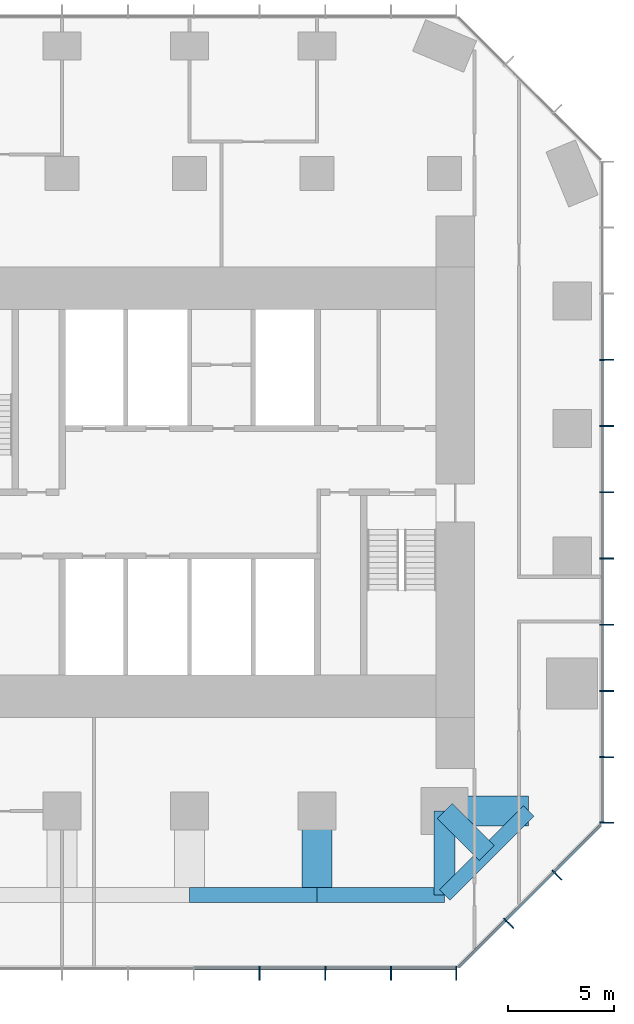
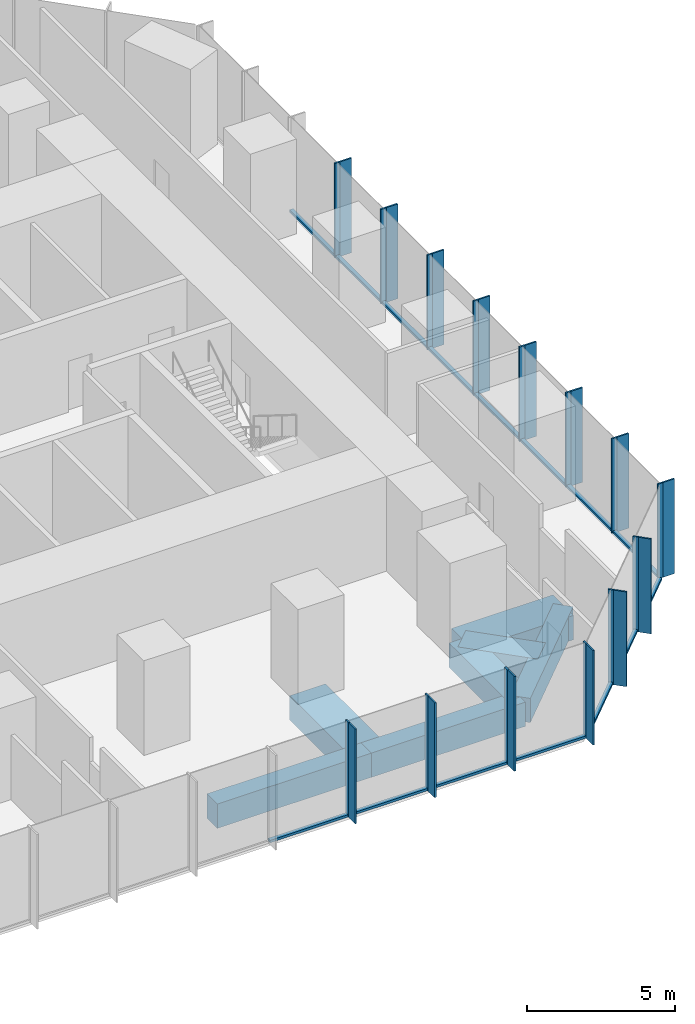
# One storey, part 4 of 11: 43 members, 7 beams, 3 elements without a shape of their own.
"""IFC4 building model written with IfcOpenShell, lengths in metres."""

from ifc_helpers import new_model, si_unit, direction, frame, origin, origin_2d, place, context, subcontext, project, spatial, rectangle, extrude, material, layer, layer_set, material_profile, profile_set, type_object, element, aggregate, save


model = new_model("IFC4")

# Units and contexts
model_context = context("Model", 3, precision=1e-05, world=origin(), true_north=direction((0.0, 1.0)))
body_context = subcontext(model_context, "Body", "Model", "MODEL_VIEW")
ifc_project = project(units=[si_unit("LENGTHUNIT", "METRE"), si_unit("AREAUNIT", "SQUARE_METRE"), si_unit("VOLUMEUNIT", "CUBIC_METRE"), si_unit("PLANEANGLEUNIT", "RADIAN"), si_unit("MASSUNIT", "GRAM", prefix="KILO")], contexts=[model_context])

# Site, building, storey
site_placement = place(None, origin())
site = spatial("IfcSite", under=ifc_project, at=site_placement, CompositionType="ELEMENT")
building_placement = place(site_placement, origin())
building = spatial("IfcBuilding", under=site, at=building_placement, Name="Highveld Stack Headquarters", CompositionType="ELEMENT")
storey_placement = place(building_placement, frame((0.0, 0.0, 132.800048828125)))
storey = spatial("IfcBuildingStorey", under=building, at=storey_placement, Name="L32", CompositionType="ELEMENT", Elevation=132.800048828125)

# Beams
ifc_material_1 = material(Name="Concrete C60/75", Category="concrete")
ifc_material_profile_1 = material_profile(ifc_material_1, rectangle(XDim=1.0, YDim=1.0, at=origin_2d()), Name="RC 1000x1000")
ifc_profile_set_1 = profile_set([ifc_material_profile_1], Name="Concrete C60/75")
beam_type_1 = type_object("IfcBeamType", Name="CANTILEVER RIB RC 1000x1000", PredefinedType="USERDEFINED", material=ifc_profile_set_1)
beam_1_placement = place(storey_placement, frame((18.0, -12.0, -0.75), z_axis=(0.0, -1.0, 0.0), x_axis=(1.0, 0.0, 0.0)))
element("IfcBeam", 1, at=beam_1_placement, inside=storey, type_object=beam_type_1, Name="Cantilever rib 9/C L32", ObjectType="CANTILEVER RIB", PredefinedType="USERDEFINED", context=body_context, shape_type="SweptSolid", body=[
    extrude(rectangle(XDim=1.0, YDim=1.0, at=origin_2d()), origin(), (0.0, 0.0, 1.0), 3.949951171875),
])
beam_2_placement = place(storey_placement, frame((18.0, -12.0, -0.75), z_axis=(0.707106781187, -0.707106781187, 0.0), x_axis=(0.707106781187, 0.707106781187, 0.0)))
element("IfcBeam", 2, at=beam_2_placement, inside=storey, type_object=beam_type_1, Name="Cantilever rib 9/C L32", ObjectType="CANTILEVER RIB", PredefinedType="USERDEFINED", context=body_context, shape_type="SweptSolid", body=[
    extrude(rectangle(XDim=1.0, YDim=1.0, at=origin_2d()), origin(), (0.0, 0.0, 1.0), 2.793212890625),
])
ifc_material_2 = material(Name="Concrete C60/75", Category="concrete")
ifc_material_profile_2 = material_profile(ifc_material_2, rectangle(XDim=1.39990234375, YDim=1.0, at=origin_2d()), Name="RC 1400x1000")
ifc_profile_set_2 = profile_set([ifc_material_profile_2], Name="Concrete C60/75")
beam_type_2 = type_object("IfcBeamType", Name="CANTILEVER RIB RC 1400x1000", PredefinedType="USERDEFINED", material=ifc_profile_set_2)
for number, where, z_axis, x_axis, name in (
    (3, (12.0, -12.0, -0.75), (0.0, -1.0, 0.0), (1.0, 0.0, 0.0), "Cantilever rib 8/C L32"),
    (4, (18.0, -12.0, -0.75), (1.0, 0.0, 0.0), (0.0, 1.0, 0.0), "Cantilever rib 9/C L32"),
):
    element("IfcBeam", number, at=place(storey_placement, frame(where, z_axis=z_axis, x_axis=x_axis)), inside=storey, type_object=beam_type_2, Name=name, ObjectType="CANTILEVER RIB", PredefinedType="USERDEFINED", context=body_context, shape_type="SweptSolid", body=[
        extrude(rectangle(XDim=1.39990234375, YDim=1.0, at=origin_2d()), origin(), (0.0, 0.0, 1.0), 3.949951171875),
    ])

# Curtain wall, members
ifc_material_3 = material(Name="Aluminium bronze anodised", Category="aluminium")
ifc_layer_1 = layer(ifc_material_3, 0.199951171875)
ifc_layer_set_1 = layer_set([ifc_layer_1], Name="Aluminium bronze anodised")
curtain_wall_type_1 = type_object("IfcCurtainWallType", Name="CW1 TOWER UNITISED CURTAIN WALL", PredefinedType="NOTDEFINED", material=ifc_layer_set_1)
curtain_wall_1_placement = place(storey_placement, origin())
curtain_wall_1 = element("IfcCurtainWall", 5, at=curtain_wall_1_placement, inside=storey, type_object=curtain_wall_type_1, Name="Curtain wall CW1 L32 S", PredefinedType="NOTDEFINED")
ifc_material_4 = material(Name="Aluminium bronze anodised", Category="aluminium")
ifc_material_profile_3 = material_profile(ifc_material_4, rectangle(XDim=0.449951171875, YDim=0.06005859375, at=origin_2d()), Name="FIN 450x60")
ifc_profile_set_3 = profile_set([ifc_material_profile_3], Name="Aluminium bronze anodised")
member_type_1 = type_object("IfcMemberType", Name="CW1 BRONZE FIN 450x60", PredefinedType="USERDEFINED", material=ifc_profile_set_3)
member_1_placement = place(storey_placement, frame((9.2900390625, -19.72509765625, 0.0), z_axis=(0.0, 0.0, 1.0), x_axis=(0.0, 1.0, 0.0)))
member_1 = element("IfcMember", 6, at=member_1_placement, type_object=member_type_1, Name="CW1 fin L32 10", ObjectType="FIN", PredefinedType="USERDEFINED", context=body_context, shape_type="SweptSolid", body=[
    extrude(rectangle(XDim=0.449951171875, YDim=0.06005859375, at=origin_2d()), origin(), (0.0, 0.0, 1.0), 3.89990234375),
])
member_2_placement = place(storey_placement, frame((12.38671875, -19.72509765625, 0.0), z_axis=(0.0, 0.0, 1.0), x_axis=(0.0, 1.0, 0.0)))
member_2 = element("IfcMember", 7, at=member_2_placement, type_object=member_type_1, Name="CW1 fin L32 11", ObjectType="FIN", PredefinedType="USERDEFINED", context=body_context, shape_type="SweptSolid", body=[
    extrude(rectangle(XDim=0.449951171875, YDim=0.06005859375, at=origin_2d()), origin(), (0.0, 0.0, 1.0), 3.89990234375),
])
member_3_placement = place(storey_placement, frame((15.4833984375, -19.72509765625, 0.0), z_axis=(0.0, 0.0, 1.0), x_axis=(0.0, 1.0, 0.0)))
member_3 = element("IfcMember", 8, at=member_3_placement, type_object=member_type_1, Name="CW1 fin L32 12", ObjectType="FIN", PredefinedType="USERDEFINED", context=body_context, shape_type="SweptSolid", body=[
    extrude(rectangle(XDim=0.449951171875, YDim=0.06005859375, at=origin_2d()), origin(), (0.0, 0.0, 1.0), 3.89990234375),
])
member_4_placement = place(storey_placement, frame((18.54736328125, -19.72509765625, 0.0), z_axis=(0.0, 0.0, 1.0), x_axis=(0.0, 1.0, 0.0)))
member_4 = element("IfcMember", 9, at=member_4_placement, type_object=member_type_1, Name="CW1 fin L32 13", ObjectType="FIN", PredefinedType="USERDEFINED", context=body_context, shape_type="SweptSolid", body=[
    extrude(rectangle(XDim=0.449951171875, YDim=0.06005859375, at=origin_2d()), origin(), (0.0, 0.0, 1.0), 3.89990234375),
])

curtain_wall_2_placement = place(storey_placement, origin())
curtain_wall_2 = element("IfcCurtainWall", 10, at=curtain_wall_2_placement, inside=storey, type_object=curtain_wall_type_1, Name="Curtain wall CW1 L32 E", PredefinedType="NOTDEFINED")
member_5_placement = place(storey_placement, frame((25.72509765625, -12.54736328125, 0.0), z_axis=(0.0, 0.0, 1.0), x_axis=(-1.0, 0.0, 0.0)))
member_5 = element("IfcMember", 11, at=member_5_placement, type_object=member_type_1, Name="CW1 fin L32 1", ObjectType="FIN", PredefinedType="USERDEFINED", context=body_context, shape_type="SweptSolid", body=[
    extrude(rectangle(XDim=0.449951171875, YDim=0.06005859375, at=origin_2d()), origin(), (0.0, 0.0, 1.0), 3.89990234375),
])
member_6_placement = place(storey_placement, frame((25.72509765625, -9.4638671875, 0.0), z_axis=(0.0, 0.0, 1.0), x_axis=(-1.0, 0.0, 0.0)))
member_6 = element("IfcMember", 12, at=member_6_placement, type_object=member_type_1, Name="CW1 fin L32 2", ObjectType="FIN", PredefinedType="USERDEFINED", context=body_context, shape_type="SweptSolid", body=[
    extrude(rectangle(XDim=0.449951171875, YDim=0.06005859375, at=origin_2d()), origin(), (0.0, 0.0, 1.0), 3.89990234375),
])
member_7_placement = place(storey_placement, frame((25.72509765625, -6.347900390625, 0.0), z_axis=(0.0, 0.0, 1.0), x_axis=(-1.0, 0.0, 0.0)))
member_7 = element("IfcMember", 13, at=member_7_placement, type_object=member_type_1, Name="CW1 fin L32 3", ObjectType="FIN", PredefinedType="USERDEFINED", context=body_context, shape_type="SweptSolid", body=[
    extrude(rectangle(XDim=0.449951171875, YDim=0.06005859375, at=origin_2d()), origin(), (0.0, 0.0, 1.0), 3.89990234375),
])
member_8_placement = place(storey_placement, frame((25.72509765625, -3.23193359375, 0.0), z_axis=(0.0, 0.0, 1.0), x_axis=(-1.0, 0.0, 0.0)))
member_8 = element("IfcMember", 14, at=member_8_placement, type_object=member_type_1, Name="CW1 fin L32 4", ObjectType="FIN", PredefinedType="USERDEFINED", context=body_context, shape_type="SweptSolid", body=[
    extrude(rectangle(XDim=0.449951171875, YDim=0.06005859375, at=origin_2d()), origin(), (0.0, 0.0, 1.0), 3.89990234375),
])
member_9_placement = place(storey_placement, frame((25.72509765625, -0.115966796875, 0.0), z_axis=(0.0, 0.0, 1.0), x_axis=(-1.0, 0.0, 0.0)))
member_9 = element("IfcMember", 15, at=member_9_placement, type_object=member_type_1, Name="CW1 fin L32 5", ObjectType="FIN", PredefinedType="USERDEFINED", context=body_context, shape_type="SweptSolid", body=[
    extrude(rectangle(XDim=0.449951171875, YDim=0.06005859375, at=origin_2d()), origin(), (0.0, 0.0, 1.0), 3.89990234375),
])
member_10_placement = place(storey_placement, frame((25.72509765625, 3.0, 0.0), z_axis=(0.0, 0.0, 1.0), x_axis=(-1.0, 0.0, 0.0)))
member_10 = element("IfcMember", 16, at=member_10_placement, type_object=member_type_1, Name="CW1 fin L32 6", ObjectType="FIN", PredefinedType="USERDEFINED", context=body_context, shape_type="SweptSolid", body=[
    extrude(rectangle(XDim=0.449951171875, YDim=0.06005859375, at=origin_2d()), origin(), (0.0, 0.0, 1.0), 3.89990234375),
])
member_11_placement = place(storey_placement, frame((25.72509765625, 6.115966796875, 0.0), z_axis=(0.0, 0.0, 1.0), x_axis=(-1.0, 0.0, 0.0)))
member_11 = element("IfcMember", 17, at=member_11_placement, type_object=member_type_1, Name="CW1 fin L32 7", ObjectType="FIN", PredefinedType="USERDEFINED", context=body_context, shape_type="SweptSolid", body=[
    extrude(rectangle(XDim=0.449951171875, YDim=0.06005859375, at=origin_2d()), origin(), (0.0, 0.0, 1.0), 3.89990234375),
])
member_12_placement = place(storey_placement, frame((25.72509765625, 9.23193359375, 0.0), z_axis=(0.0, 0.0, 1.0), x_axis=(-1.0, 0.0, 0.0)))
member_12 = element("IfcMember", 18, at=member_12_placement, type_object=member_type_1, Name="CW1 fin L32 8", ObjectType="FIN", PredefinedType="USERDEFINED", context=body_context, shape_type="SweptSolid", body=[
    extrude(rectangle(XDim=0.449951171875, YDim=0.06005859375, at=origin_2d()), origin(), (0.0, 0.0, 1.0), 3.89990234375),
])

# Member
ifc_material_5 = material(Name="Aluminium bronze anodised", Category="aluminium")
ifc_material_profile_4 = material_profile(ifc_material_5, rectangle(XDim=0.199951171875, YDim=0.06494140625, at=origin_2d()), Name="CW1 MULLION 65x200")
ifc_profile_set_4 = profile_set([ifc_material_profile_4], Name="Aluminium bronze anodised")
member_type_2 = type_object("IfcMemberType", Name="CW1 MULLION 65x200", PredefinedType="MULLION", material=ifc_profile_set_4)
member_13_placement = place(storey_placement, frame((9.2900390625, -19.39990234375, 0.0), z_axis=(0.0, 0.0, 1.0), x_axis=(0.0, 1.0, 0.0)))
member_13 = element("IfcMember", 19, at=member_13_placement, type_object=member_type_2, Name="CW1 mullion L32 10", PredefinedType="MULLION", context=body_context, shape_type="SweptSolid", body=[
    extrude(rectangle(XDim=0.199951171875, YDim=0.06494140625, at=origin_2d()), origin(), (0.0, 0.0, 1.0), 3.89990234375),
])

member_14_placement = place(storey_placement, frame((12.38671875, -19.39990234375, 0.0), z_axis=(0.0, 0.0, 1.0), x_axis=(0.0, 1.0, 0.0)))
member_14 = element("IfcMember", 20, at=member_14_placement, type_object=member_type_2, Name="CW1 mullion L32 11", PredefinedType="MULLION", context=body_context, shape_type="SweptSolid", body=[
    extrude(rectangle(XDim=0.199951171875, YDim=0.06494140625, at=origin_2d()), origin(), (0.0, 0.0, 1.0), 3.89990234375),
])

member_15_placement = place(storey_placement, frame((15.4833984375, -19.39990234375, 0.0), z_axis=(0.0, 0.0, 1.0), x_axis=(0.0, 1.0, 0.0)))
member_15 = element("IfcMember", 21, at=member_15_placement, type_object=member_type_2, Name="CW1 mullion L32 12", PredefinedType="MULLION", context=body_context, shape_type="SweptSolid", body=[
    extrude(rectangle(XDim=0.199951171875, YDim=0.06494140625, at=origin_2d()), origin(), (0.0, 0.0, 1.0), 3.89990234375),
])

member_16_placement = place(storey_placement, frame((18.54736328125, -19.39990234375, 0.0), z_axis=(0.0, 0.0, 1.0), x_axis=(0.0, 1.0, 0.0)))
member_16 = element("IfcMember", 22, at=member_16_placement, type_object=member_type_2, Name="CW1 mullion L32 13", PredefinedType="MULLION", context=body_context, shape_type="SweptSolid", body=[
    extrude(rectangle(XDim=0.199951171875, YDim=0.06494140625, at=origin_2d()), origin(), (0.0, 0.0, 1.0), 3.89990234375),
])

member_17_placement = place(storey_placement, frame((25.39990234375, -12.54736328125, 0.0), z_axis=(0.0, 0.0, 1.0), x_axis=(-1.0, 0.0, 0.0)))
member_17 = element("IfcMember", 23, at=member_17_placement, type_object=member_type_2, Name="CW1 mullion L32 1", PredefinedType="MULLION", context=body_context, shape_type="SweptSolid", body=[
    extrude(rectangle(XDim=0.199951171875, YDim=0.06494140625, at=origin_2d()), origin(), (0.0, 0.0, 1.0), 3.89990234375),
])

member_18_placement = place(storey_placement, frame((25.39990234375, -9.4638671875, 0.0), z_axis=(0.0, 0.0, 1.0), x_axis=(-1.0, 0.0, 0.0)))
member_18 = element("IfcMember", 24, at=member_18_placement, type_object=member_type_2, Name="CW1 mullion L32 2", PredefinedType="MULLION", context=body_context, shape_type="SweptSolid", body=[
    extrude(rectangle(XDim=0.199951171875, YDim=0.06494140625, at=origin_2d()), origin(), (0.0, 0.0, 1.0), 3.89990234375),
])

member_19_placement = place(storey_placement, frame((25.39990234375, -6.347900390625, 0.0), z_axis=(0.0, 0.0, 1.0), x_axis=(-1.0, 0.0, 0.0)))
member_19 = element("IfcMember", 25, at=member_19_placement, type_object=member_type_2, Name="CW1 mullion L32 3", PredefinedType="MULLION", context=body_context, shape_type="SweptSolid", body=[
    extrude(rectangle(XDim=0.199951171875, YDim=0.06494140625, at=origin_2d()), origin(), (0.0, 0.0, 1.0), 3.89990234375),
])

member_20_placement = place(storey_placement, frame((25.39990234375, -3.23193359375, 0.0), z_axis=(0.0, 0.0, 1.0), x_axis=(-1.0, 0.0, 0.0)))
member_20 = element("IfcMember", 26, at=member_20_placement, type_object=member_type_2, Name="CW1 mullion L32 4", PredefinedType="MULLION", context=body_context, shape_type="SweptSolid", body=[
    extrude(rectangle(XDim=0.199951171875, YDim=0.06494140625, at=origin_2d()), origin(), (0.0, 0.0, 1.0), 3.89990234375),
])

member_21_placement = place(storey_placement, frame((25.39990234375, -0.115966796875, 0.0), z_axis=(0.0, 0.0, 1.0), x_axis=(-1.0, 0.0, 0.0)))
member_21 = element("IfcMember", 27, at=member_21_placement, type_object=member_type_2, Name="CW1 mullion L32 5", PredefinedType="MULLION", context=body_context, shape_type="SweptSolid", body=[
    extrude(rectangle(XDim=0.199951171875, YDim=0.06494140625, at=origin_2d()), origin(), (0.0, 0.0, 1.0), 3.89990234375),
])

member_22_placement = place(storey_placement, frame((25.39990234375, 3.0, 0.0), z_axis=(0.0, 0.0, 1.0), x_axis=(-1.0, 0.0, 0.0)))
member_22 = element("IfcMember", 28, at=member_22_placement, type_object=member_type_2, Name="CW1 mullion L32 6", PredefinedType="MULLION", context=body_context, shape_type="SweptSolid", body=[
    extrude(rectangle(XDim=0.199951171875, YDim=0.06494140625, at=origin_2d()), origin(), (0.0, 0.0, 1.0), 3.89990234375),
])

member_23_placement = place(storey_placement, frame((25.39990234375, 6.115966796875, 0.0), z_axis=(0.0, 0.0, 1.0), x_axis=(-1.0, 0.0, 0.0)))
member_23 = element("IfcMember", 29, at=member_23_placement, type_object=member_type_2, Name="CW1 mullion L32 7", PredefinedType="MULLION", context=body_context, shape_type="SweptSolid", body=[
    extrude(rectangle(XDim=0.199951171875, YDim=0.06494140625, at=origin_2d()), origin(), (0.0, 0.0, 1.0), 3.89990234375),
])

member_24_placement = place(storey_placement, frame((25.39990234375, 9.23193359375, 0.0), z_axis=(0.0, 0.0, 1.0), x_axis=(-1.0, 0.0, 0.0)))
member_24 = element("IfcMember", 30, at=member_24_placement, type_object=member_type_2, Name="CW1 mullion L32 8", PredefinedType="MULLION", context=body_context, shape_type="SweptSolid", body=[
    extrude(rectangle(XDim=0.199951171875, YDim=0.06494140625, at=origin_2d()), origin(), (0.0, 0.0, 1.0), 3.89990234375),
])

ifc_material_6 = material(Name="Aluminium bronze anodised", Category="aluminium")
ifc_material_profile_5 = material_profile(ifc_material_6, rectangle(XDim=0.14990234375, YDim=0.10009765625, at=origin_2d()), Name="CW1 TRANSOM 150x100")
ifc_profile_set_5 = profile_set([ifc_material_profile_5], Name="Aluminium bronze anodised")
member_type_3 = type_object("IfcMemberType", Name="CW1 STACK TRANSOM 150x100", PredefinedType="USERDEFINED", material=ifc_profile_set_5)
member_25_placement = place(storey_placement, frame((6.225830078125, -19.39990234375, 0.050048828125), z_axis=(1.0, 0.0, 0.0), x_axis=(0.0, 1.0, 0.0)))
member_25 = element("IfcMember", 31, at=member_25_placement, type_object=member_type_3, Name="CW1 transom L32 9.1", ObjectType="TRANSOM", PredefinedType="USERDEFINED", context=body_context, shape_type="SweptSolid", body=[
    extrude(rectangle(XDim=0.14990234375, YDim=0.10009765625, at=origin_2d()), origin(), (0.0, 0.0, 1.0), 3.03173828125),
])

member_26_placement = place(storey_placement, frame((9.322509765625, -19.39990234375, 0.050048828125), z_axis=(1.0, 0.0, 0.0), x_axis=(0.0, 1.0, 0.0)))
member_26 = element("IfcMember", 32, at=member_26_placement, type_object=member_type_3, Name="CW1 transom L32 10.1", ObjectType="TRANSOM", PredefinedType="USERDEFINED", context=body_context, shape_type="SweptSolid", body=[
    extrude(rectangle(XDim=0.14990234375, YDim=0.10009765625, at=origin_2d()), origin(), (0.0, 0.0, 1.0), 3.031494140625),
])

member_27_placement = place(storey_placement, frame((12.419189453125, -19.39990234375, 0.050048828125), z_axis=(1.0, 0.0, 0.0), x_axis=(0.0, 1.0, 0.0)))
member_27 = element("IfcMember", 33, at=member_27_placement, type_object=member_type_3, Name="CW1 transom L32 11.1", ObjectType="TRANSOM", PredefinedType="USERDEFINED", context=body_context, shape_type="SweptSolid", body=[
    extrude(rectangle(XDim=0.14990234375, YDim=0.10009765625, at=origin_2d()), origin(), (0.0, 0.0, 1.0), 3.031494140625),
])

member_28_placement = place(storey_placement, frame((15.515869140625, -19.39990234375, 0.050048828125), z_axis=(1.0, 0.0, 0.0), x_axis=(0.0, 1.0, 0.0)))
member_28 = element("IfcMember", 34, at=member_28_placement, type_object=member_type_3, Name="CW1 transom L32 12.1", ObjectType="TRANSOM", PredefinedType="USERDEFINED", context=body_context, shape_type="SweptSolid", body=[
    extrude(rectangle(XDim=0.14990234375, YDim=0.10009765625, at=origin_2d()), origin(), (0.0, 0.0, 1.0), 2.9990234375),
])

aggregate(curtain_wall_1, [member_13, member_1, member_14, member_2, member_15, member_3, member_16, member_4, member_25, member_26, member_27, member_28])

member_29_placement = place(storey_placement, frame((25.39990234375, -12.514892578125, 0.050048828125), z_axis=(0.0, 1.0, 0.0), x_axis=(-1.0, 0.0, 0.0)))
member_29 = element("IfcMember", 35, at=member_29_placement, type_object=member_type_3, Name="CW1 transom L32 1.1", ObjectType="TRANSOM", PredefinedType="USERDEFINED", context=body_context, shape_type="SweptSolid", body=[
    extrude(rectangle(XDim=0.14990234375, YDim=0.10009765625, at=origin_2d()), origin(), (0.0, 0.0, 1.0), 3.0185546875),
])

member_30_placement = place(storey_placement, frame((25.39990234375, -9.431396484375, 0.050048828125), z_axis=(0.0, 1.0, 0.0), x_axis=(-1.0, 0.0, 0.0)))
member_30 = element("IfcMember", 36, at=member_30_placement, type_object=member_type_3, Name="CW1 transom L32 2.1", ObjectType="TRANSOM", PredefinedType="USERDEFINED", context=body_context, shape_type="SweptSolid", body=[
    extrude(rectangle(XDim=0.14990234375, YDim=0.10009765625, at=origin_2d()), origin(), (0.0, 0.0, 1.0), 3.051025390625),
])

member_31_placement = place(storey_placement, frame((25.39990234375, -6.3154296875, 0.050048828125), z_axis=(0.0, 1.0, 0.0), x_axis=(-1.0, 0.0, 0.0)))
member_31 = element("IfcMember", 37, at=member_31_placement, type_object=member_type_3, Name="CW1 transom L32 3.1", ObjectType="TRANSOM", PredefinedType="USERDEFINED", context=body_context, shape_type="SweptSolid", body=[
    extrude(rectangle(XDim=0.14990234375, YDim=0.10009765625, at=origin_2d()), origin(), (0.0, 0.0, 1.0), 3.051025390625),
])

member_32_placement = place(storey_placement, frame((25.39990234375, -3.199462890625, 0.050048828125), z_axis=(0.0, 1.0, 0.0), x_axis=(-1.0, 0.0, 0.0)))
member_32 = element("IfcMember", 38, at=member_32_placement, type_object=member_type_3, Name="CW1 transom L32 4.1", ObjectType="TRANSOM", PredefinedType="USERDEFINED", context=body_context, shape_type="SweptSolid", body=[
    extrude(rectangle(XDim=0.14990234375, YDim=0.10009765625, at=origin_2d()), origin(), (0.0, 0.0, 1.0), 3.051025390625),
])

member_33_placement = place(storey_placement, frame((25.39990234375, -0.08349609375, 0.050048828125), z_axis=(0.0, 1.0, 0.0), x_axis=(-1.0, 0.0, 0.0)))
member_33 = element("IfcMember", 39, at=member_33_placement, type_object=member_type_3, Name="CW1 transom L32 5.1", ObjectType="TRANSOM", PredefinedType="USERDEFINED", context=body_context, shape_type="SweptSolid", body=[
    extrude(rectangle(XDim=0.14990234375, YDim=0.10009765625, at=origin_2d()), origin(), (0.0, 0.0, 1.0), 3.051025390625),
])

member_34_placement = place(storey_placement, frame((25.39990234375, 3.032470703125, 0.050048828125), z_axis=(0.0, 1.0, 0.0), x_axis=(-1.0, 0.0, 0.0)))
member_34 = element("IfcMember", 40, at=member_34_placement, type_object=member_type_3, Name="CW1 transom L32 6.1", ObjectType="TRANSOM", PredefinedType="USERDEFINED", context=body_context, shape_type="SweptSolid", body=[
    extrude(rectangle(XDim=0.14990234375, YDim=0.10009765625, at=origin_2d()), origin(), (0.0, 0.0, 1.0), 3.051025390625),
])

member_35_placement = place(storey_placement, frame((25.39990234375, 6.1484375, 0.050048828125), z_axis=(0.0, 1.0, 0.0), x_axis=(-1.0, 0.0, 0.0)))
member_35 = element("IfcMember", 41, at=member_35_placement, type_object=member_type_3, Name="CW1 transom L32 7.1", ObjectType="TRANSOM", PredefinedType="USERDEFINED", context=body_context, shape_type="SweptSolid", body=[
    extrude(rectangle(XDim=0.14990234375, YDim=0.10009765625, at=origin_2d()), origin(), (0.0, 0.0, 1.0), 3.051025390625),
])

member_36_placement = place(storey_placement, frame((25.39990234375, 9.264404296875, 0.050048828125), z_axis=(0.0, 1.0, 0.0), x_axis=(-1.0, 0.0, 0.0)))
member_36 = element("IfcMember", 42, at=member_36_placement, type_object=member_type_3, Name="CW1 transom L32 8.1", ObjectType="TRANSOM", PredefinedType="USERDEFINED", context=body_context, shape_type="SweptSolid", body=[
    extrude(rectangle(XDim=0.14990234375, YDim=0.10009765625, at=origin_2d()), origin(), (0.0, 0.0, 1.0), 3.051025390625),
])

aggregate(curtain_wall_2, [member_17, member_5, member_18, member_6, member_19, member_7, member_20, member_8, member_21, member_9, member_22, member_10, member_23, member_11, member_24, member_12, member_29, member_30, member_31, member_32, member_33, member_34, member_35, member_36])

# Curtain wall, members
ifc_material_7 = material(Name="Aluminium bronze anodised", Category="aluminium")
ifc_layer_2 = layer(ifc_material_7, 0.199951171875)
ifc_layer_set_2 = layer_set([ifc_layer_2], Name="Aluminium bronze anodised")
curtain_wall_type_2 = type_object("IfcCurtainWallType", Name="CW2 TOWER CHAMFER UNITISED CURTAIN WALL", PredefinedType="NOTDEFINED", material=ifc_layer_set_2)
curtain_wall_3_placement = place(storey_placement, origin())
curtain_wall_3 = element("IfcCurtainWall", 43, at=curtain_wall_3_placement, inside=storey, type_object=curtain_wall_type_2, Name="Curtain wall CW2 L32 SE", PredefinedType="NOTDEFINED")
ifc_material_8 = material(Name="Aluminium bronze anodised", Category="aluminium")
ifc_material_profile_6 = material_profile(ifc_material_8, rectangle(XDim=0.449951171875, YDim=0.06005859375, at=origin_2d()), Name="FIN 450x60")
ifc_profile_set_6 = profile_set([ifc_material_profile_6], Name="Aluminium bronze anodised")
member_type_4 = type_object("IfcMemberType", Name="CW2 BRONZE FIN 450x60", PredefinedType="USERDEFINED", material=ifc_profile_set_6)
member_37_placement = place(storey_placement, frame((21.0830078125, -17.3564453125, 0.0), z_axis=(0.0, 0.0, 1.0), x_axis=(-0.707106781187, 0.707106781187, 0.0)))
member_37 = element("IfcMember", 44, at=member_37_placement, type_object=member_type_4, Name="CW2 fin L32 1", ObjectType="FIN", PredefinedType="USERDEFINED", context=body_context, shape_type="SweptSolid", body=[
    extrude(rectangle(XDim=0.449951171875, YDim=0.06005859375, at=origin_2d()), origin(), (0.0, 0.0, 1.0), 3.89990234375),
])
member_38_placement = place(storey_placement, frame((23.3564453125, -15.0830078125, 0.0), z_axis=(0.0, 0.0, 1.0), x_axis=(-0.707106781187, 0.707106781187, 0.0)))
member_38 = element("IfcMember", 45, at=member_38_placement, type_object=member_type_4, Name="CW2 fin L32 2", ObjectType="FIN", PredefinedType="USERDEFINED", context=body_context, shape_type="SweptSolid", body=[
    extrude(rectangle(XDim=0.449951171875, YDim=0.06005859375, at=origin_2d()), origin(), (0.0, 0.0, 1.0), 3.89990234375),
])
ifc_material_9 = material(Name="Aluminium bronze anodised", Category="aluminium")
ifc_material_profile_7 = material_profile(ifc_material_9, rectangle(XDim=0.199951171875, YDim=0.06494140625, at=origin_2d()), Name="CW2 MULLION 65x200")
ifc_profile_set_7 = profile_set([ifc_material_profile_7], Name="Aluminium bronze anodised")
member_type_5 = type_object("IfcMemberType", Name="CW2 MULLION 65x200", PredefinedType="MULLION", material=ifc_profile_set_7)
member_39_placement = place(storey_placement, frame((20.853271484375, -17.126708984375, 0.0), z_axis=(0.0, 0.0, 1.0), x_axis=(-0.707106781187, 0.707106781187, 0.0)))
member_39 = element("IfcMember", 46, at=member_39_placement, type_object=member_type_5, Name="CW2 mullion L32 1", PredefinedType="MULLION", context=body_context, shape_type="SweptSolid", body=[
    extrude(rectangle(XDim=0.199951171875, YDim=0.06494140625, at=origin_2d()), origin(), (0.0, 0.0, 1.0), 3.89990234375),
])
member_40_placement = place(storey_placement, frame((23.126708984375, -14.853271484375, 0.0), z_axis=(0.0, 0.0, 1.0), x_axis=(-0.707106781187, 0.707106781187, 0.0)))
member_40 = element("IfcMember", 47, at=member_40_placement, type_object=member_type_5, Name="CW2 mullion L32 2", PredefinedType="MULLION", context=body_context, shape_type="SweptSolid", body=[
    extrude(rectangle(XDim=0.199951171875, YDim=0.06494140625, at=origin_2d()), origin(), (0.0, 0.0, 1.0), 3.89990234375),
])
ifc_material_10 = material(Name="Aluminium bronze anodised", Category="aluminium")
ifc_material_profile_8 = material_profile(ifc_material_10, rectangle(XDim=0.14990234375, YDim=0.10009765625, at=origin_2d()), Name="CW2 TRANSOM 150x100")
ifc_profile_set_8 = profile_set([ifc_material_profile_8], Name="Aluminium bronze anodised")
member_type_6 = type_object("IfcMemberType", Name="CW2 STACK TRANSOM 150x100", PredefinedType="USERDEFINED", material=ifc_profile_set_8)
member_41_placement = place(storey_placement, frame((18.650634765625, -19.329345703125, 0.050048828125), z_axis=(0.707106781187, 0.707106781187, 0.0), x_axis=(-0.707106781187, 0.707106781187, 0.0)))
member_41 = element("IfcMember", 48, at=member_41_placement, type_object=member_type_6, Name="CW2 transom L32 1.1", ObjectType="TRANSOM", PredefinedType="USERDEFINED", context=body_context, shape_type="SweptSolid", body=[
    extrude(rectangle(XDim=0.14990234375, YDim=0.10009765625, at=origin_2d()), origin(), (0.0, 0.0, 1.0), 3.08251953125),
])
member_42_placement = place(storey_placement, frame((20.876220703125, -17.103759765625, 0.050048828125), z_axis=(0.707106781187, 0.707106781187, 0.0), x_axis=(-0.707106781187, 0.707106781187, 0.0)))
member_42 = element("IfcMember", 49, at=member_42_placement, type_object=member_type_6, Name="CW2 transom L32 2.1", ObjectType="TRANSOM", PredefinedType="USERDEFINED", context=body_context, shape_type="SweptSolid", body=[
    extrude(rectangle(XDim=0.14990234375, YDim=0.10009765625, at=origin_2d()), origin(), (0.0, 0.0, 1.0), 3.150146484375),
])
member_43_placement = place(storey_placement, frame((23.149658203125, -14.830322265625, 0.050048828125), z_axis=(0.707106781187, 0.707106781187, 0.0), x_axis=(-0.707106781187, 0.707106781187, 0.0)))
member_43 = element("IfcMember", 50, at=member_43_placement, type_object=member_type_6, Name="CW2 transom L32 3.1", ObjectType="TRANSOM", PredefinedType="USERDEFINED", context=body_context, shape_type="SweptSolid", body=[
    extrude(rectangle(XDim=0.14990234375, YDim=0.10009765625, at=origin_2d()), origin(), (0.0, 0.0, 1.0), 3.08251953125),
])
aggregate(curtain_wall_3, [member_39, member_37, member_40, member_38, member_41, member_42, member_43])

# Beams
ifc_material_11 = material(Name="Concrete C60/75", Category="concrete")
ifc_material_profile_9 = material_profile(ifc_material_11, rectangle(XDim=0.699951171875, YDim=1.0, at=origin_2d()), Name="RC 700x1000")
ifc_profile_set_9 = profile_set([ifc_material_profile_9], Name="Concrete C60/75")
beam_type_3 = type_object("IfcBeamType", Name="RIB TIP BEAM RC 700x1000", PredefinedType="SPANDREL", material=ifc_profile_set_9)
for number, where, z_axis, x_axis, name in (
    (51, (6.0, -15.949951171875, -0.75), (1.0, 0.0, 0.0), (0.0, 1.0, 0.0), "Rib tip beam 7/C to 8/C L32"),
    (52, (12.0, -15.949951171875, -0.75), (1.0, 0.0, 0.0), (0.0, 1.0, 0.0), "Rib tip beam 8/C to 9/C L32"),
):
    element("IfcBeam", number, at=place(storey_placement, frame(where, z_axis=z_axis, x_axis=x_axis)), inside=storey, type_object=beam_type_3, Name=name, PredefinedType="SPANDREL", context=body_context, shape_type="SweptSolid", body=[
        extrude(rectangle(XDim=0.699951171875, YDim=1.0, at=origin_2d()), origin(), (0.0, 0.0, 1.0), 6.0),
    ])
beam_3_placement = place(storey_placement, frame((21.949951171875, -12.0, -0.75), z_axis=(-0.707106781187, -0.707106781187, 0.0), x_axis=(0.707106781187, -0.707106781187, 0.0)))
element("IfcBeam", 53, at=beam_3_placement, inside=storey, type_object=beam_type_3, Name="Rib tip beam 9/C corner L32", PredefinedType="SPANDREL", context=body_context, shape_type="SweptSolid", body=[
    extrude(rectangle(XDim=0.699951171875, YDim=1.0, at=origin_2d()), origin(), (0.0, 0.0, 1.0), 5.586181640625),
])

save(model, "model.ifc")
